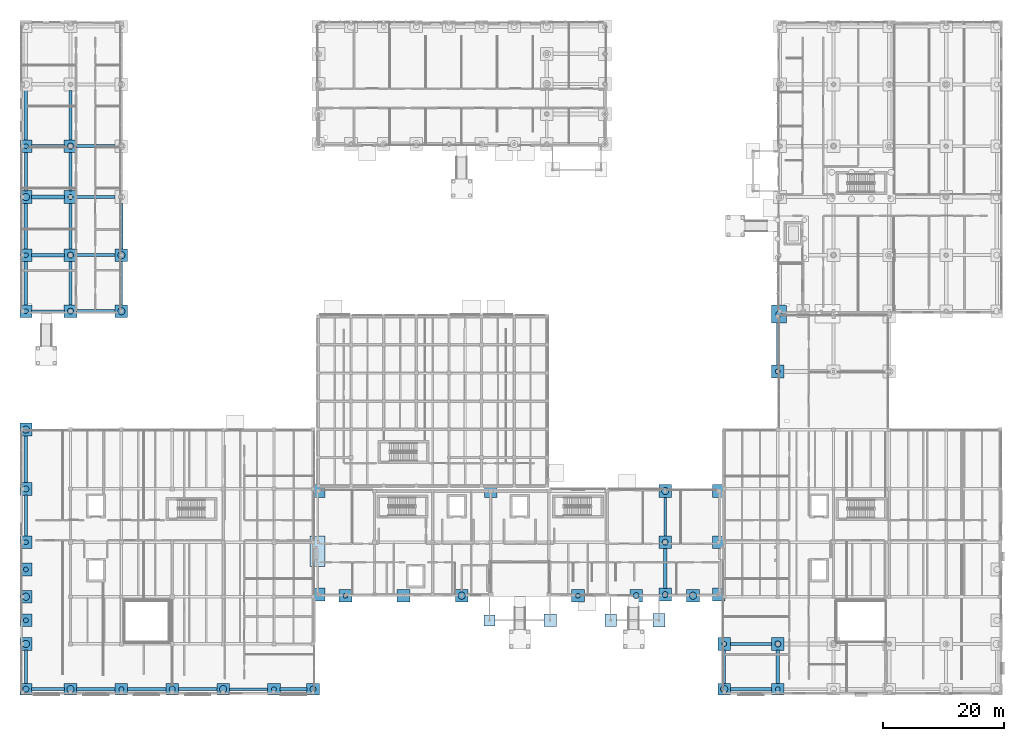
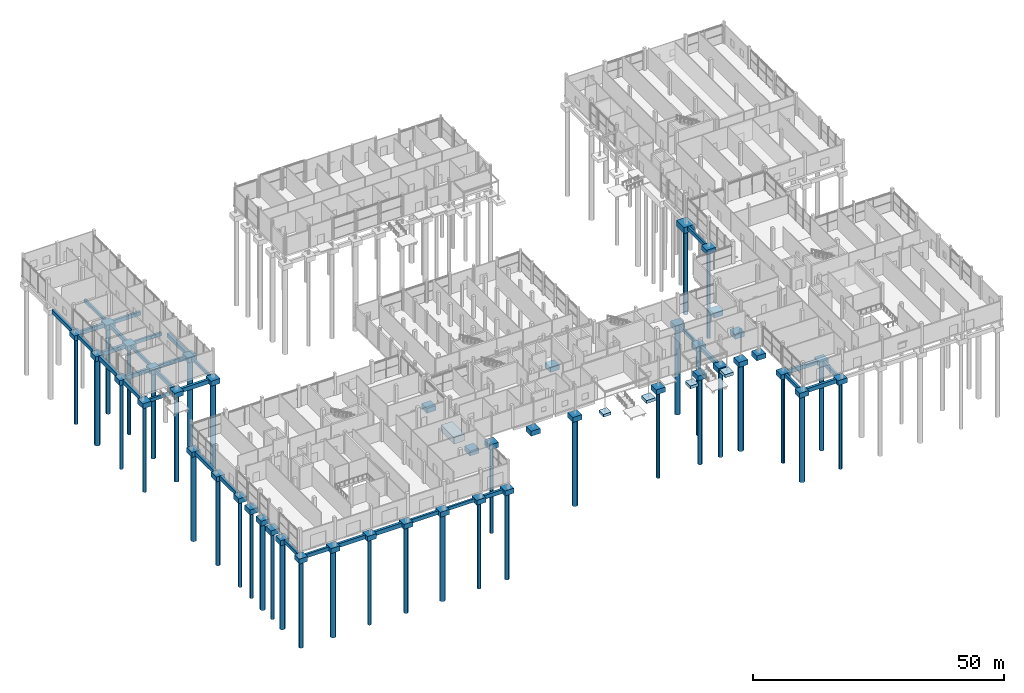
# One storey, part 1 of 88: 84 footings, 38 piles.
"""IFC4 building model written with IfcOpenShell, lengths in metres."""

import ifcopenshell
import ifcopenshell.guid

model = None  # the IFC model being written
_history = None  # IfcOwnerHistory: only IFC2X3 demands one
_inside = {}  # id of a spatial element -> (the spatial element, [elements in it])
_under = {}  # id of a project, library or spatial element -> (it, [spatial elements below it])
_declared = {}  # id of a project -> (the project, [libraries it declares])
_typed = {}  # id of a type object -> (the type object, [elements of that type])
_made_of = {}  # id of a material, layer set ... -> (it, [elements and type objects made of it])


def new_model(schema):
    """Start an empty IFC model of exactly this schema.

    Asked for "IFC4X3", IfcOpenShell would pick the latest addendum, in which some entities
    have other attributes; the version numbers below select the first issue.
    IFC2X3 requires an IfcOwnerHistory on every rooted entity: one is made here for all.
    """
    global model, _history
    if schema == "IFC4X3":
        model = ifcopenshell.file(schema_version=(4, 3, 0, 0))
    else:
        model = ifcopenshell.file(schema=schema)
    _inside.clear()
    _under.clear()
    _declared.clear()
    _typed.clear()
    _made_of.clear()
    _history = None
    if model.schema == "IFC2X3":
        org = make("IfcOrganization", Name="unknown")
        user = make(
            "IfcPersonAndOrganization",
            ThePerson=make("IfcPerson", FamilyName="unknown"),
            TheOrganization=org,
        )
        app = make(
            "IfcApplication",
            ApplicationDeveloper=org,
            Version="unknown",
            ApplicationFullName="unknown",
            ApplicationIdentifier="unknown",
        )
        _history = make(
            "IfcOwnerHistory",
            OwningUser=user,
            OwningApplication=app,
            ChangeAction="ADDED",
            CreationDate=0,
        )
    return model


def make(cls, **values):
    """One entity of the class cls with the attributes given. An attribute that is None is left unset."""
    return model.create_entity(
        cls, **{name: value for name, value in values.items() if value is not None}
    )


def rooted(cls, **values):
    """An entity with a GlobalId (a new one), such as an element, a storey or a relation."""
    return make(cls, GlobalId=ifcopenshell.guid.new(), OwnerHistory=_history, **values)


def si_unit(unit_type, name, prefix=None):
    """IfcSIUnit, for example si_unit("LENGTHUNIT", "METRE", prefix="MILLI")."""
    return make("IfcSIUnit", UnitType=unit_type, Prefix=prefix, Name=name)


def assignment(units):
    """IfcUnitAssignment: the units of a project."""
    return None if units is None else make("IfcUnitAssignment", Units=units)


def point(xyz):
    """IfcCartesianPoint."""
    return None if xyz is None else make("IfcCartesianPoint", Coordinates=xyz)


def direction(xyz):
    """IfcDirection."""
    return None if xyz is None else make("IfcDirection", DirectionRatios=xyz)


def frame(location, z_axis=None, x_axis=None):
    """IfcAxis2Placement3D, a coordinate frame: its origin and axes. An axis left out is left unset."""
    return make(
        "IfcAxis2Placement3D",
        Location=point(location),
        Axis=direction(z_axis),
        RefDirection=direction(x_axis),
    )


def frame_2d(location, x_axis=None):
    """IfcAxis2Placement2D, a coordinate frame in the plane: its origin and x axis."""
    return make(
        "IfcAxis2Placement2D", Location=point(location), RefDirection=direction(x_axis)
    )


def origin():
    """The frame at (0, 0, 0) with its axes left unset."""
    return frame((0.0, 0.0, 0.0))


def origin_2d():
    """The frame at (0, 0) in the plane with its x axis left unset."""
    return frame_2d((0.0, 0.0))


def place(relative_to, where):
    """IfcLocalPlacement: puts the frame where relative to a parent placement (None: the world)."""
    return make(
        "IfcLocalPlacement", PlacementRelTo=relative_to, RelativePlacement=where
    )


def context(
    kind, dimensions, precision=None, world=None, true_north=None, identifier=None
):
    """IfcGeometricRepresentationContext, for example the 3D "Model" context."""
    return make(
        "IfcGeometricRepresentationContext",
        ContextIdentifier=identifier,
        ContextType=kind,
        CoordinateSpaceDimension=dimensions,
        Precision=precision,
        WorldCoordinateSystem=world,
        TrueNorth=true_north,
    )


def subcontext(parent, identifier, kind, view, scale=None):
    """IfcGeometricRepresentationSubContext, for example "Body" below "Model"."""
    return make(
        "IfcGeometricRepresentationSubContext",
        ContextIdentifier=identifier,
        ContextType=kind,
        ParentContext=parent,
        TargetScale=scale,
        TargetView=view,
    )


def project(units=None, contexts=None):
    """IfcProject with its units and contexts."""
    return rooted(
        "IfcProject",
        Name="project",
        RepresentationContexts=contexts,
        UnitsInContext=assignment(units),
    )


def spatial(cls, under=None, at=None, **own):
    """A site, building, storey or space (cls), placed at a placement, below another one or the project."""
    s = rooted(cls, ObjectPlacement=at, **own)
    if under is not None:
        _under.setdefault(under.id(), (under, []))[1].append(s)
    return s


def profile(cls, at=None, kind="AREA", **sizes):
    """A parametric profile (cls). Its sizes go by their IFC names, for example OverallWidth=200.0."""
    return make(cls, ProfileType=kind, Position=at, **sizes)


def rectangle(**sizes):
    """IfcRectangleProfileDef."""
    return profile("IfcRectangleProfileDef", **sizes)


def circle(**sizes):
    """IfcCircleProfileDef."""
    return profile("IfcCircleProfileDef", **sizes)


def extrude(swept, where, along, depth):
    """IfcExtrudedAreaSolid: the profile swept, set in the frame where, extruded along a direction by depth."""
    return make(
        "IfcExtrudedAreaSolid",
        SweptArea=swept,
        Position=where,
        ExtrudedDirection=direction(along),
        Depth=depth,
    )


def shape(context_of_items, identifier, shape_type, items):
    """IfcShapeRepresentation: the items that make up one representation, for example the "Body"."""
    return make(
        "IfcShapeRepresentation",
        ContextOfItems=context_of_items,
        RepresentationIdentifier=identifier,
        RepresentationType=shape_type,
        Items=items,
    )


def material(Name=None, Category=None):
    """IfcMaterial."""
    return make("IfcMaterial", Name=Name, Category=Category)


def material_profile(
    of_material, cross_section, Name=None, Category=None, Priority=None
):
    """IfcMaterialProfile: a cross section and its material."""
    return make(
        "IfcMaterialProfile",
        Name=Name,
        Material=of_material,
        Profile=cross_section,
        Priority=Priority,
        Category=Category,
    )


def profile_set(profiles, Name=None, composite=None):
    """IfcMaterialProfileSet."""
    return make(
        "IfcMaterialProfileSet",
        Name=Name,
        MaterialProfiles=profiles,
        CompositeProfile=composite,
    )


def made_of(thing, what):
    """Note that an element or type object is made of a material, layer set ...; save() writes the relation."""
    if what is not None:
        _made_of.setdefault(what.id(), (what, []))[1].append(thing)
    return thing


def type_object(cls, material=None, **own):
    """A type object (cls), such as IfcWallType, which elements share."""
    return made_of(rooted(cls, **own), material)


def element(
    cls,
    number,
    at=None,
    inside=None,
    cuts=None,
    type_object=None,
    material=None,
    context=None,
    identifier="Body",
    shape_type=None,
    held_by="IfcProductDefinitionShape",
    body=None,
    shapes=None,
    **own,
):
    """One element of the class cls, such as IfcWall. Its Tag is "e" and its number.

    at: its placement. inside: the storey or other place that contains it. cuts: it is an
    opening in that element (IfcRelVoidsElement). A single representation is given by context,
    identifier, shape_type and body (its items); several are given by shapes. held_by: the class
    of the entity that holds the representations. save() writes the other relations.
    """
    e = rooted(cls, Tag="e%d" % number, ObjectPlacement=at, **own)
    if body is not None:
        shapes = [shape(context, identifier, shape_type, body)]
    if shapes is not None:
        e.Representation = make(held_by, Representations=shapes)
    if inside is not None:
        _inside.setdefault(inside.id(), (inside, []))[1].append(e)
    if cuts is not None:
        rooted(
            "IfcRelVoidsElement", RelatingBuildingElement=cuts, RelatedOpeningElement=e
        )
    if type_object is not None:
        _typed.setdefault(type_object.id(), (type_object, []))[1].append(e)
    return made_of(e, material)


def aggregate(whole, parts):
    """IfcRelAggregates: a whole, such as a stair, and the parts it consists of."""
    return rooted("IfcRelAggregates", RelatingObject=whole, RelatedObjects=parts)


def save(model, path):
    """Write the relations noted so far, then the file.

    IfcRelAggregates (storeys below a building ...), IfcRelContainedInSpatialStructure (elements
    in a storey), IfcRelDefinesByType, IfcRelAssociatesMaterial and IfcRelDeclares: one each for
    every whole, place, type object, material and project.
    """
    for whole, parts in _under.values():
        aggregate(whole, parts)
    for where, things in _inside.values():
        rooted(
            "IfcRelContainedInSpatialStructure",
            RelatedElements=things,
            RelatingStructure=where,
        )
    for kind, things in _typed.values():
        rooted("IfcRelDefinesByType", RelatedObjects=things, RelatingType=kind)
    for what, things in _made_of.values():
        rooted("IfcRelAssociatesMaterial", RelatedObjects=things, RelatingMaterial=what)
    for by, libraries in _declared.values():
        rooted("IfcRelDeclares", RelatingContext=by, RelatedDefinitions=libraries)
    model.write(path)


model = new_model("IFC4")

# Units and contexts
model_context = context("Model", 3, precision=1e-05, world=origin(), true_north=direction((0.0, 1.0)))
body_context = subcontext(model_context, "Body", "Model", "MODEL_VIEW")
ifc_project = project(units=[si_unit("LENGTHUNIT", "METRE"), si_unit("AREAUNIT", "SQUARE_METRE"), si_unit("VOLUMEUNIT", "CUBIC_METRE"), si_unit("PLANEANGLEUNIT", "RADIAN"), si_unit("MASSUNIT", "GRAM", prefix="KILO")], contexts=[model_context])

# Site, building, storey
site_placement = place(None, origin())
site = spatial("IfcSite", under=ifc_project, at=site_placement, CompositionType="ELEMENT")
building_placement = place(site_placement, origin())
building = spatial("IfcBuilding", under=site, at=building_placement, Name="Birchvale Park Specialist Clinic", CompositionType="ELEMENT")
storey_placement = place(building_placement, origin())
storey = spatial("IfcBuildingStorey", under=building, at=storey_placement, Name="L00", CompositionType="ELEMENT", Elevation=0.0)

# Footings
ifc_material = material(Name="Concrete C40/50", Category="concrete")
footing_type_1 = type_object("IfcFootingType", Name="FTB-1", PredefinedType="FOOTING_BEAM", material=ifc_material)
footing_1_placement = place(storey_placement, frame((7.47998046875, 1.534912109375, -2.64990234375), z_axis=(0.0, 0.0, 1.0), x_axis=(1.0, 0.0, 0.0)))
element("IfcFooting", 1, at=footing_1_placement, inside=storey, type_object=footing_type_1, Name="L00 foundation tie beam 129", PredefinedType="FOOTING_BEAM", context=body_context, shape_type="SweptSolid", body=[
    extrude(rectangle(XDim=5.3798828125, YDim=0.5, at=origin_2d()), origin(), (0.0, 0.0, 1.0), 0.89990234375),
])
footing_2_placement = place(storey_placement, frame((32.199951171875, 1.534912109375, -2.64990234375), z_axis=(0.0, 0.0, 1.0), x_axis=(1.0, 0.0, 0.0)))
element("IfcFooting", 2, at=footing_2_placement, inside=storey, type_object=footing_type_1, Name="L00 foundation tie beam 133", PredefinedType="FOOTING_BEAM", context=body_context, shape_type="SweptSolid", body=[
    extrude(rectangle(XDim=6.340087890625, YDim=0.5, at=origin_2d()), origin(), (0.0, 0.0, 1.0), 0.89990234375),
])
footing_3_placement = place(storey_placement, frame((119.14990234375, 5.22998046875, -2.64990234375), z_axis=(0.0, 0.0, 1.0), x_axis=(1.0, 0.0, 0.0)))
element("IfcFooting", 3, at=footing_3_placement, inside=storey, type_object=footing_type_1, Name="L00 foundation tie beam 137", PredefinedType="FOOTING_BEAM", context=body_context, shape_type="SweptSolid", body=[
    extrude(rectangle(XDim=0.5, YDim=5.47998046875, at=origin_2d()), origin(), (0.0, 0.0, 1.0), 0.89990234375),
])
footing_4_placement = place(storey_placement, frame((3.8349609375, 30.199951171875, -2.64990234375), z_axis=(0.0, 0.0, 1.0), x_axis=(1.0, 0.0, 0.0)))
element("IfcFooting", 4, at=footing_4_placement, inside=storey, type_object=footing_type_1, Name="L00 foundation tie beam 153", PredefinedType="FOOTING_BEAM", context=body_context, shape_type="SweptSolid", body=[
    extrude(rectangle(XDim=0.5, YDim=6.739990234375, at=origin_2d()), origin(), (0.0, 0.0, 1.0), 0.89990234375),
])
footing_5_placement = place(storey_placement, frame((128.0, 58.52490234375, -2.64990234375), z_axis=(0.0, 0.0, 1.0), x_axis=(1.0, 0.0, 0.0)))
element("IfcFooting", 5, at=footing_5_placement, inside=storey, type_object=footing_type_1, Name="L00 foundation tie beam 157", PredefinedType="FOOTING_BEAM", context=body_context, shape_type="SweptSolid", body=[
    extrude(rectangle(XDim=0.5, YDim=6.989990234375, at=origin_2d()), origin(), (0.0, 0.0, 1.0), 0.89990234375),
])
footing_6_placement = place(storey_placement, frame((11.199951171875, 68.574951171875, -2.64990234375), z_axis=(0.0, 0.0, 1.0), x_axis=(1.0, 0.0, 0.0)))
element("IfcFooting", 6, at=footing_6_placement, inside=storey, type_object=footing_type_1, Name="L00 foundation tie beam 169", PredefinedType="FOOTING_BEAM", context=body_context, shape_type="SweptSolid", body=[
    extrude(rectangle(XDim=0.5, YDim=7.18994140625, at=origin_2d()), origin(), (0.0, 0.0, 1.0), 0.89990234375),
])
footing_7_placement = place(storey_placement, frame((15.39990234375, 73.199951171875, -2.64990234375), z_axis=(0.0, 0.0, 1.0), x_axis=(1.0, 0.0, 0.0)))
element("IfcFooting", 7, at=footing_7_placement, inside=storey, type_object=footing_type_1, Name="L00 foundation tie beam 177", PredefinedType="FOOTING_BEAM", context=body_context, shape_type="SweptSolid", body=[
    extrude(rectangle(XDim=6.340087890625, YDim=0.5, at=origin_2d()), origin(), (0.0, 0.0, 1.0), 0.89990234375),
])
footing_8_placement = place(storey_placement, frame((3.8349609375, 87.0, -2.64990234375), z_axis=(0.0, 0.0, 1.0), x_axis=(1.0, 0.0, 0.0)))
element("IfcFooting", 8, at=footing_8_placement, inside=storey, type_object=footing_type_1, Name="L00 foundation tie beam 189", PredefinedType="FOOTING_BEAM", context=body_context, shape_type="SweptSolid", body=[
    extrude(rectangle(XDim=0.5, YDim=6.340087890625, at=origin_2d()), origin(), (0.0, 0.0, 1.0), 0.89990234375),
])
footing_9_placement = place(storey_placement, frame((15.39990234375, 91.199951171875, -2.64990234375), z_axis=(0.0, 0.0, 1.0), x_axis=(1.0, 0.0, 0.0)))
element("IfcFooting", 9, at=footing_9_placement, inside=storey, type_object=footing_type_1, Name="L00 foundation tie beam 201", PredefinedType="FOOTING_BEAM", context=body_context, shape_type="SweptSolid", body=[
    extrude(rectangle(XDim=6.340087890625, YDim=0.5, at=origin_2d()), origin(), (0.0, 0.0, 1.0), 0.89990234375),
])
footing_type_2 = type_object("IfcFootingType", Name="FTB-2", PredefinedType="FOOTING_BEAM", material=ifc_material)
footing_10_placement = place(storey_placement, frame((3.8349609375, 5.22998046875, -2.5498046875), z_axis=(0.0, 0.0, 1.0), x_axis=(1.0, 0.0, 0.0)))
element("IfcFooting", 10, at=footing_10_placement, inside=storey, type_object=footing_type_2, Name="L00 foundation tie beam 130", PredefinedType="FOOTING_BEAM", context=body_context, shape_type="SweptSolid", body=[
    extrude(rectangle(XDim=0.449951171875, YDim=5.47998046875, at=origin_2d()), origin(), (0.0, 0.0, 1.0), 0.800048828125),
])
footing_11_placement = place(storey_placement, frame((40.60009765625, 1.534912109375, -2.5498046875), z_axis=(0.0, 0.0, 1.0), x_axis=(1.0, 0.0, 0.0)))
element("IfcFooting", 11, at=footing_11_placement, inside=storey, type_object=footing_type_2, Name="L00 foundation tie beam 134", PredefinedType="FOOTING_BEAM", context=body_context, shape_type="SweptSolid", body=[
    extrude(rectangle(XDim=6.340087890625, YDim=0.449951171875, at=origin_2d()), origin(), (0.0, 0.0, 1.0), 0.800048828125),
])
footing_12_placement = place(storey_placement, frame((109.39990234375, 30.02490234375, -2.5498046875), z_axis=(0.0, 0.0, 1.0), x_axis=(1.0, 0.0, 0.0)))
element("IfcFooting", 12, at=footing_12_placement, inside=storey, type_object=footing_type_2, Name="L00 foundation tie beam 154", PredefinedType="FOOTING_BEAM", context=body_context, shape_type="SweptSolid", body=[
    extrude(rectangle(XDim=0.449951171875, YDim=6.389892578125, at=origin_2d()), origin(), (0.0, 0.0, 1.0), 0.800048828125),
])
footing_13_placement = place(storey_placement, frame((7.47998046875, 63.949951171875, -2.5498046875), z_axis=(0.0, 0.0, 1.0), x_axis=(1.0, 0.0, 0.0)))
element("IfcFooting", 13, at=footing_13_placement, inside=storey, type_object=footing_type_2, Name="L00 foundation tie beam 166", PredefinedType="FOOTING_BEAM", context=body_context, shape_type="SweptSolid", body=[
    extrude(rectangle(XDim=5.3798828125, YDim=0.449951171875, at=origin_2d()), origin(), (0.0, 0.0, 1.0), 0.800048828125),
])
footing_14_placement = place(storey_placement, frame((19.60009765625, 68.574951171875, -2.5498046875), z_axis=(0.0, 0.0, 1.0), x_axis=(1.0, 0.0, 0.0)))
element("IfcFooting", 14, at=footing_14_placement, inside=storey, type_object=footing_type_2, Name="L00 foundation tie beam 170", PredefinedType="FOOTING_BEAM", context=body_context, shape_type="SweptSolid", body=[
    extrude(rectangle(XDim=0.449951171875, YDim=7.18994140625, at=origin_2d()), origin(), (0.0, 0.0, 1.0), 0.800048828125),
])
footing_15_placement = place(storey_placement, frame((11.199951171875, 78.0, -2.5498046875), z_axis=(0.0, 0.0, 1.0), x_axis=(1.0, 0.0, 0.0)))
element("IfcFooting", 15, at=footing_15_placement, inside=storey, type_object=footing_type_2, Name="L00 foundation tie beam 178", PredefinedType="FOOTING_BEAM", context=body_context, shape_type="SweptSolid", body=[
    extrude(rectangle(XDim=0.449951171875, YDim=7.5400390625, at=origin_2d()), origin(), (0.0, 0.0, 1.0), 0.800048828125),
])
footing_16_placement = place(storey_placement, frame((15.39990234375, 82.800048828125, -2.5498046875), z_axis=(0.0, 0.0, 1.0), x_axis=(1.0, 0.0, 0.0)))
element("IfcFooting", 16, at=footing_16_placement, inside=storey, type_object=footing_type_2, Name="L00 foundation tie beam 190", PredefinedType="FOOTING_BEAM", context=body_context, shape_type="SweptSolid", body=[
    extrude(rectangle(XDim=6.340087890625, YDim=0.449951171875, at=origin_2d()), origin(), (0.0, 0.0, 1.0), 0.800048828125),
])
footing_17_placement = place(storey_placement, frame((11.199951171875, 96.300048828125, -2.5498046875), z_axis=(0.0, 0.0, 1.0), x_axis=(1.0, 0.0, 0.0)))
element("IfcFooting", 17, at=footing_17_placement, inside=storey, type_object=footing_type_2, Name="L00 foundation tie beam 202", PredefinedType="FOOTING_BEAM", context=body_context, shape_type="SweptSolid", body=[
    extrude(rectangle(XDim=0.449951171875, YDim=8.139892578125, at=origin_2d()), origin(), (0.0, 0.0, 1.0), 0.800048828125),
])
footing_type_3 = type_object("IfcFootingType", Name="FTB-3", PredefinedType="FOOTING_BEAM", material=ifc_material)
footing_18_placement = place(storey_placement, frame((15.39990234375, 1.534912109375, -2.7001953125), z_axis=(0.0, 0.0, 1.0), x_axis=(1.0, 0.0, 0.0)))
element("IfcFooting", 18, at=footing_18_placement, inside=storey, type_object=footing_type_3, Name="L00 foundation tie beam 131", PredefinedType="FOOTING_BEAM", context=body_context, shape_type="SweptSolid", body=[
    extrude(rectangle(XDim=6.340087890625, YDim=0.550048828125, at=origin_2d()), origin(), (0.0, 0.0, 1.0), 0.949951171875),
])
footing_19_placement = place(storey_placement, frame((48.02490234375, 1.534912109375, -2.7001953125), z_axis=(0.0, 0.0, 1.0), x_axis=(1.0, 0.0, 0.0)))
element("IfcFooting", 19, at=footing_19_placement, inside=storey, type_object=footing_type_3, Name="L00 foundation tie beam 135", PredefinedType="FOOTING_BEAM", context=body_context, shape_type="SweptSolid", body=[
    extrude(rectangle(XDim=4.389892578125, YDim=0.550048828125, at=origin_2d()), origin(), (0.0, 0.0, 1.0), 0.949951171875),
])
footing_20_placement = place(storey_placement, frame((128.0, 5.22998046875, -2.7001953125), z_axis=(0.0, 0.0, 1.0), x_axis=(1.0, 0.0, 0.0)))
element("IfcFooting", 20, at=footing_20_placement, inside=storey, type_object=footing_type_3, Name="L00 foundation tie beam 139", PredefinedType="FOOTING_BEAM", context=body_context, shape_type="SweptSolid", body=[
    extrude(rectangle(XDim=0.550048828125, YDim=5.47998046875, at=origin_2d()), origin(), (0.0, 0.0, 1.0), 0.949951171875),
])
footing_21_placement = place(storey_placement, frame((123.574951171875, 9.0, -2.7001953125), z_axis=(0.0, 0.0, 1.0), x_axis=(1.0, 0.0, 0.0)))
element("IfcFooting", 21, at=footing_21_placement, inside=storey, type_object=footing_type_3, Name="L00 foundation tie beam 147", PredefinedType="FOOTING_BEAM", context=body_context, shape_type="SweptSolid", body=[
    extrude(rectangle(XDim=6.7900390625, YDim=0.550048828125, at=origin_2d()), origin(), (0.0, 0.0, 1.0), 0.949951171875),
])
footing_22_placement = place(storey_placement, frame((3.8349609375, 39.5, -2.7001953125), z_axis=(0.0, 0.0, 1.0), x_axis=(1.0, 0.0, 0.0)))
element("IfcFooting", 22, at=footing_22_placement, inside=storey, type_object=footing_type_3, Name="L00 foundation tie beam 155", PredefinedType="FOOTING_BEAM", context=body_context, shape_type="SweptSolid", body=[
    extrude(rectangle(XDim=0.550048828125, YDim=7.739990234375, at=origin_2d()), origin(), (0.0, 0.0, 1.0), 0.949951171875),
])
footing_23_placement = place(storey_placement, frame((3.8349609375, 68.574951171875, -2.7001953125), z_axis=(0.0, 0.0, 1.0), x_axis=(1.0, 0.0, 0.0)))
element("IfcFooting", 23, at=footing_23_placement, inside=storey, type_object=footing_type_3, Name="L00 foundation tie beam 167", PredefinedType="FOOTING_BEAM", context=body_context, shape_type="SweptSolid", body=[
    extrude(rectangle(XDim=0.550048828125, YDim=7.18994140625, at=origin_2d()), origin(), (0.0, 0.0, 1.0), 0.949951171875),
])
footing_24_placement = place(storey_placement, frame((7.47998046875, 73.199951171875, -2.7001953125), z_axis=(0.0, 0.0, 1.0), x_axis=(1.0, 0.0, 0.0)))
element("IfcFooting", 24, at=footing_24_placement, inside=storey, type_object=footing_type_3, Name="L00 foundation tie beam 175", PredefinedType="FOOTING_BEAM", context=body_context, shape_type="SweptSolid", body=[
    extrude(rectangle(XDim=5.3798828125, YDim=0.550048828125, at=origin_2d()), origin(), (0.0, 0.0, 1.0), 0.949951171875),
])
footing_25_placement = place(storey_placement, frame((19.60009765625, 78.0, -2.7001953125), z_axis=(0.0, 0.0, 1.0), x_axis=(1.0, 0.0, 0.0)))
element("IfcFooting", 25, at=footing_25_placement, inside=storey, type_object=footing_type_3, Name="L00 foundation tie beam 179", PredefinedType="FOOTING_BEAM", context=body_context, shape_type="SweptSolid", body=[
    extrude(rectangle(XDim=0.550048828125, YDim=7.5400390625, at=origin_2d()), origin(), (0.0, 0.0, 1.0), 0.949951171875),
])
footing_26_placement = place(storey_placement, frame((11.199951171875, 87.0, -2.7001953125), z_axis=(0.0, 0.0, 1.0), x_axis=(1.0, 0.0, 0.0)))
element("IfcFooting", 26, at=footing_26_placement, inside=storey, type_object=footing_type_3, Name="L00 foundation tie beam 191", PredefinedType="FOOTING_BEAM", context=body_context, shape_type="SweptSolid", body=[
    extrude(rectangle(XDim=0.550048828125, YDim=6.340087890625, at=origin_2d()), origin(), (0.0, 0.0, 1.0), 0.949951171875),
])
footing_27_placement = place(storey_placement, frame((7.47998046875, 91.199951171875, -2.7001953125), z_axis=(0.0, 0.0, 1.0), x_axis=(1.0, 0.0, 0.0)))
element("IfcFooting", 27, at=footing_27_placement, inside=storey, type_object=footing_type_3, Name="L00 foundation tie beam 199", PredefinedType="FOOTING_BEAM", context=body_context, shape_type="SweptSolid", body=[
    extrude(rectangle(XDim=5.3798828125, YDim=0.550048828125, at=origin_2d()), origin(), (0.0, 0.0, 1.0), 0.949951171875),
])
footing_type_4 = type_object("IfcFootingType", Name="FTB-4", PredefinedType="FOOTING_BEAM", material=ifc_material)
footing_28_placement = place(storey_placement, frame((23.800048828125, 1.534912109375, -2.75), z_axis=(0.0, 0.0, 1.0), x_axis=(1.0, 0.0, 0.0)))
element("IfcFooting", 28, at=footing_28_placement, inside=storey, type_object=footing_type_4, Name="L00 foundation tie beam 132", PredefinedType="FOOTING_BEAM", context=body_context, shape_type="SweptSolid", body=[
    extrude(rectangle(XDim=6.340087890625, YDim=0.60009765625, at=origin_2d()), origin(), (0.0, 0.0, 1.0), 1.0),
])
footing_29_placement = place(storey_placement, frame((123.574951171875, 1.534912109375, -2.75), z_axis=(0.0, 0.0, 1.0), x_axis=(1.0, 0.0, 0.0)))
element("IfcFooting", 29, at=footing_29_placement, inside=storey, type_object=footing_type_4, Name="L00 foundation tie beam 136", PredefinedType="FOOTING_BEAM", context=body_context, shape_type="SweptSolid", body=[
    extrude(rectangle(XDim=6.7900390625, YDim=0.60009765625, at=origin_2d()), origin(), (0.0, 0.0, 1.0), 1.0),
])
footing_30_placement = place(storey_placement, frame((109.39990234375, 21.47509765625, -2.75), z_axis=(0.0, 0.0, 1.0), x_axis=(1.0, 0.0, 0.0)))
element("IfcFooting", 30, at=footing_30_placement, inside=storey, type_object=footing_type_4, Name="L00 foundation tie beam 152", PredefinedType="FOOTING_BEAM", context=body_context, shape_type="SweptSolid", body=[
    extrude(rectangle(XDim=0.60009765625, YDim=6.590087890625, at=origin_2d()), origin(), (0.0, 0.0, 1.0), 1.0),
])
footing_31_placement = place(storey_placement, frame((15.39990234375, 63.949951171875, -2.75), z_axis=(0.0, 0.0, 1.0), x_axis=(1.0, 0.0, 0.0)))
element("IfcFooting", 31, at=footing_31_placement, inside=storey, type_object=footing_type_4, Name="L00 foundation tie beam 168", PredefinedType="FOOTING_BEAM", context=body_context, shape_type="SweptSolid", body=[
    extrude(rectangle(XDim=6.340087890625, YDim=0.60009765625, at=origin_2d()), origin(), (0.0, 0.0, 1.0), 1.0),
])
footing_32_placement = place(storey_placement, frame((3.8349609375, 78.0, -2.75), z_axis=(0.0, 0.0, 1.0), x_axis=(1.0, 0.0, 0.0)))
element("IfcFooting", 32, at=footing_32_placement, inside=storey, type_object=footing_type_4, Name="L00 foundation tie beam 176", PredefinedType="FOOTING_BEAM", context=body_context, shape_type="SweptSolid", body=[
    extrude(rectangle(XDim=0.60009765625, YDim=7.5400390625, at=origin_2d()), origin(), (0.0, 0.0, 1.0), 1.0),
])
footing_33_placement = place(storey_placement, frame((7.47998046875, 82.800048828125, -2.75), z_axis=(0.0, 0.0, 1.0), x_axis=(1.0, 0.0, 0.0)))
element("IfcFooting", 33, at=footing_33_placement, inside=storey, type_object=footing_type_4, Name="L00 foundation tie beam 188", PredefinedType="FOOTING_BEAM", context=body_context, shape_type="SweptSolid", body=[
    extrude(rectangle(XDim=5.3798828125, YDim=0.60009765625, at=origin_2d()), origin(), (0.0, 0.0, 1.0), 1.0),
])
footing_34_placement = place(storey_placement, frame((3.8349609375, 96.300048828125, -2.75), z_axis=(0.0, 0.0, 1.0), x_axis=(1.0, 0.0, 0.0)))
element("IfcFooting", 34, at=footing_34_placement, inside=storey, type_object=footing_type_4, Name="L00 foundation tie beam 200", PredefinedType="FOOTING_BEAM", context=body_context, shape_type="SweptSolid", body=[
    extrude(rectangle(XDim=0.60009765625, YDim=8.139892578125, at=origin_2d()), origin(), (0.0, 0.0, 1.0), 1.0),
])
footing_type_5 = type_object("IfcFootingType", Name="FTG-PC-17", PredefinedType="PILE_CAP", material=ifc_material)
footing_35_placement = place(storey_placement, frame((3.8349609375, 1.534912109375, -2.9501953125), z_axis=(0.0, 0.0, 1.0), x_axis=(1.0, 0.0, 0.0)))
element("IfcFooting", 35, at=footing_35_placement, inside=storey, type_object=footing_type_5, Name="L00 pile cap 114", PredefinedType="PILE_CAP", context=body_context, shape_type="SweptSolid", body=[
    extrude(rectangle(XDim=1.949951171875, YDim=1.949951171875, at=origin_2d()), origin(), (0.0, 0.0, 1.0), 1.199951171875),
])
footing_type_6 = type_object("IfcFootingType", Name="FTG-PC-18", PredefinedType="PILE_CAP", material=ifc_material)
for number, where, z_axis, x_axis, name in (
    (36, (11.199951171875, 1.534912109375, -2.9501953125), (0.0, 0.0, 1.0), (1.0, 0.0, 0.0), "L00 pile cap 115"),
    (37, (19.60009765625, 1.534912109375, -2.9501953125), (0.0, 0.0, 1.0), (1.0, 0.0, 0.0), "L00 pile cap 116"),
    (38, (28.0, 1.534912109375, -2.9501953125), (0.0, 0.0, 1.0), (1.0, 0.0, 0.0), "L00 pile cap 117"),
    (39, (36.39990234375, 1.534912109375, -2.9501953125), (0.0, 0.0, 1.0), (1.0, 0.0, 0.0), "L00 pile cap 118"),
    (40, (44.800048828125, 1.534912109375, -2.9501953125), (0.0, 0.0, 1.0), (1.0, 0.0, 0.0), "L00 pile cap 119"),
    (41, (51.25, 1.534912109375, -2.9501953125), (0.0, 0.0, 1.0), (1.0, 0.0, 0.0), "L00 pile cap 120"),
    (42, (119.14990234375, 1.534912109375, -2.9501953125), (0.0, 0.0, 1.0), (1.0, 0.0, 0.0), "L00 pile cap 121"),
    (43, (128.0, 1.534912109375, -2.9501953125), (0.0, 0.0, 1.0), (1.0, 0.0, 0.0), "L00 pile cap 122"),
):
    element("IfcFooting", number, at=place(storey_placement, frame(where, z_axis=z_axis, x_axis=x_axis)), inside=storey, type_object=footing_type_6, Name=name, PredefinedType="PILE_CAP", context=body_context, shape_type="SweptSolid", body=[
        extrude(rectangle(XDim=2.10009765625, YDim=1.949951171875, at=origin_2d()), origin(), (0.0, 0.0, 1.0), 1.199951171875),
    ])
footing_type_7 = type_object("IfcFootingType", Name="FTG-PC-19", PredefinedType="PILE_CAP", material=ifc_material)
for number, where, z_axis, x_axis, name in (
    (44, (3.8349609375, 9.0, -2.9501953125), (0.0, 0.0, 1.0), (1.0, 0.0, 0.0), "L00 pile cap 127"),
    (45, (3.8349609375, 12.89990234375, -2.9501953125), (0.0, 0.0, 1.0), (1.0, 0.0, 0.0), "L00 pile cap 134"),
    (46, (3.8349609375, 16.800048828125, -2.9501953125), (0.0, 0.0, 1.0), (1.0, 0.0, 0.0), "L00 pile cap 136"),
    (47, (3.8349609375, 21.300048828125, -2.9501953125), (0.0, 0.0, 1.0), (1.0, 0.0, 0.0), "L00 pile cap 146"),
    (48, (3.8349609375, 25.800048828125, -2.9501953125), (0.0, 0.0, 1.0), (1.0, 0.0, 0.0), "L00 pile cap 149"),
    (49, (3.8349609375, 34.60009765625, -2.9501953125), (0.0, 0.0, 1.0), (1.0, 0.0, 0.0), "L00 pile cap 156"),
    (50, (3.8349609375, 44.39990234375, -2.9501953125), (0.0, 0.0, 1.0), (1.0, 0.0, 0.0), "L00 pile cap 157"),
    (51, (3.8349609375, 63.949951171875, -2.9501953125), (0.0, 0.0, 1.0), (1.0, 0.0, 0.0), "L00 pile cap 164"),
    (52, (3.8349609375, 73.199951171875, -2.9501953125), (0.0, 0.0, 1.0), (1.0, 0.0, 0.0), "L00 pile cap 170"),
    (53, (3.8349609375, 82.800048828125, -2.9501953125), (0.0, 0.0, 1.0), (1.0, 0.0, 0.0), "L00 pile cap 178"),
    (54, (3.8349609375, 91.199951171875, -2.9501953125), (0.0, 0.0, 1.0), (1.0, 0.0, 0.0), "L00 pile cap 185"),
):
    element("IfcFooting", number, at=place(storey_placement, frame(where, z_axis=z_axis, x_axis=x_axis)), inside=storey, type_object=footing_type_7, Name=name, PredefinedType="PILE_CAP", context=body_context, shape_type="SweptSolid", body=[
        extrude(rectangle(XDim=1.949951171875, YDim=2.10009765625, at=origin_2d()), origin(), (0.0, 0.0, 1.0), 1.199951171875),
    ])
footing_type_8 = type_object("IfcFootingType", Name="FTG-PC-20", PredefinedType="PILE_CAP", material=ifc_material)
for number, where, z_axis, x_axis, name in (
    (55, (119.14990234375, 9.0, -2.9501953125), (0.0, 0.0, 1.0), (1.0, 0.0, 0.0), "L00 pile cap 128"),
    (56, (128.0, 9.0, -2.9501953125), (0.0, 0.0, 1.0), (1.0, 0.0, 0.0), "L00 pile cap 129"),
    (57, (56.60009765625, 16.969970703125, -2.9501953125), (0.0, 0.0, 1.0), (1.0, 0.0, 0.0), "L00 pile cap 137"),
    (58, (66.199951171875, 16.969970703125, -2.9501953125), (0.0, 0.0, 1.0), (1.0, 0.0, 0.0), "L00 pile cap 138"),
    (59, (75.800048828125, 16.969970703125, -2.9501953125), (0.0, 0.0, 1.0), (1.0, 0.0, 0.0), "L00 pile cap 139"),
    (60, (95.0, 16.969970703125, -2.9501953125), (0.0, 0.0, 1.0), (1.0, 0.0, 0.0), "L00 pile cap 140"),
    (61, (104.60009765625, 16.969970703125, -2.9501953125), (0.0, 0.0, 1.0), (1.0, 0.0, 0.0), "L00 pile cap 141"),
    (62, (114.0, 16.969970703125, -2.9501953125), (0.0, 0.0, 1.0), (1.0, 0.0, 0.0), "L00 pile cap 142"),
    (63, (52.14990234375, 17.14990234375, -2.9501953125), (0.0, 0.0, 1.0), (1.0, 0.0, 0.0), "L00 pile cap 143"),
    (64, (109.39990234375, 17.14990234375, -2.9501953125), (0.0, 0.0, 1.0), (1.0, 0.0, 0.0), "L00 pile cap 144"),
    (65, (118.25, 17.14990234375, -2.9501953125), (0.0, 0.0, 1.0), (1.0, 0.0, 0.0), "L00 pile cap 145"),
    (66, (109.39990234375, 25.800048828125, -2.9501953125), (0.0, 0.0, 1.0), (1.0, 0.0, 0.0), "L00 pile cap 150"),
    (67, (118.25, 25.800048828125, -2.9501953125), (0.0, 0.0, 1.0), (1.0, 0.0, 0.0), "L00 pile cap 151"),
    (68, (52.14990234375, 34.25, -2.9501953125), (0.0, 0.0, 1.0), (1.0, 0.0, 0.0), "L00 pile cap 152"),
    (69, (80.60009765625, 34.25, -2.9501953125), (0.0, 0.0, 1.0), (1.0, 0.0, 0.0), "L00 pile cap 153"),
    (70, (109.39990234375, 34.25, -2.9501953125), (0.0, 0.0, 1.0), (1.0, 0.0, 0.0), "L00 pile cap 154"),
    (71, (118.25, 34.25, -2.9501953125), (0.0, 0.0, 1.0), (1.0, 0.0, 0.0), "L00 pile cap 155"),
    (72, (128.0, 54.0, -2.9501953125), (0.0, 0.0, 1.0), (1.0, 0.0, 0.0), "L00 pile cap 158"),
    (73, (11.199951171875, 63.949951171875, -2.9501953125), (0.0, 0.0, 1.0), (1.0, 0.0, 0.0), "L00 pile cap 165"),
    (74, (19.60009765625, 63.949951171875, -2.9501953125), (0.0, 0.0, 1.0), (1.0, 0.0, 0.0), "L00 pile cap 166"),
    (75, (11.199951171875, 73.199951171875, -2.9501953125), (0.0, 0.0, 1.0), (1.0, 0.0, 0.0), "L00 pile cap 171"),
    (76, (19.60009765625, 73.199951171875, -2.9501953125), (0.0, 0.0, 1.0), (1.0, 0.0, 0.0), "L00 pile cap 172"),
    (77, (11.199951171875, 82.800048828125, -2.9501953125), (0.0, 0.0, 1.0), (1.0, 0.0, 0.0), "L00 pile cap 179"),
    (78, (11.199951171875, 91.199951171875, -2.9501953125), (0.0, 0.0, 1.0), (1.0, 0.0, 0.0), "L00 pile cap 186"),
):
    element("IfcFooting", number, at=place(storey_placement, frame(where, z_axis=z_axis, x_axis=x_axis)), inside=storey, type_object=footing_type_8, Name=name, PredefinedType="PILE_CAP", context=body_context, shape_type="SweptSolid", body=[
        extrude(rectangle(XDim=2.10009765625, YDim=2.10009765625, at=origin_2d()), origin(), (0.0, 0.0, 1.0), 1.199951171875),
    ])
footing_type_9 = type_object("IfcFootingType", Name="FTG-PC-21", PredefinedType="PILE_CAP", material=ifc_material)
footing_36_placement = place(storey_placement, frame((51.9599609375, 24.300048828125, -3.35009765625), z_axis=(0.0, 0.0, 1.0), x_axis=(1.0, 0.0, 0.0)))
element("IfcFooting", 79, at=footing_36_placement, inside=storey, type_object=footing_type_9, Name="L00 pile cap 148", PredefinedType="PILE_CAP", context=body_context, shape_type="SweptSolid", body=[
    extrude(rectangle(XDim=2.47998046875, YDim=5.10009765625, at=origin_2d()), origin(), (0.0, 0.0, 1.0), 1.60009765625),
])
footing_type_10 = type_object("IfcFootingType", Name="FTG-PC-22", PredefinedType="PILE_CAP", material=ifc_material)
footing_37_placement = place(storey_placement, frame((128.175048828125, 63.5, -3.2001953125), z_axis=(0.0, 0.0, 1.0), x_axis=(1.0, 0.0, 0.0)))
element("IfcFooting", 80, at=footing_37_placement, inside=storey, type_object=footing_type_10, Name="L00 pile cap 161", PredefinedType="PILE_CAP", context=body_context, shape_type="SweptSolid", body=[
    extrude(rectangle(XDim=2.449951171875, YDim=3.0, at=origin_2d()), origin(), (0.0, 0.0, 1.0), 1.449951171875),
])
footing_type_11 = type_object("IfcFootingType", Name="PF-1", PredefinedType="PAD_FOOTING", material=ifc_material)
footing_38_placement = place(storey_placement, frame((80.39990234375, 12.89990234375, -0.949951171875), z_axis=(0.0, 0.0, 1.0), x_axis=(1.0, 0.0, 0.0)))
element("IfcFooting", 81, at=footing_38_placement, inside=storey, type_object=footing_type_11, Name="L00 canopy pad footing 1", PredefinedType="PAD_FOOTING", context=body_context, shape_type="SweptSolid", body=[
    extrude(rectangle(XDim=1.800048828125, YDim=1.800048828125, at=origin_2d()), origin(), (0.0, 0.0, 1.0), 0.64990234375),
])
footing_type_12 = type_object("IfcFootingType", Name="PF-2", PredefinedType="PAD_FOOTING", material=ifc_material)
footing_39_placement = place(storey_placement, frame((90.39990234375, 12.89990234375, -1.0), z_axis=(0.0, 0.0, 1.0), x_axis=(1.0, 0.0, 0.0)))
element("IfcFooting", 82, at=footing_39_placement, inside=storey, type_object=footing_type_12, Name="L00 canopy pad footing 2", PredefinedType="PAD_FOOTING", context=body_context, shape_type="SweptSolid", body=[
    extrude(rectangle(XDim=2.10009765625, YDim=2.10009765625, at=origin_2d()), origin(), (0.0, 0.0, 1.0), 0.699951171875),
])
footing_type_13 = type_object("IfcFootingType", Name="PF-5", PredefinedType="PAD_FOOTING", material=ifc_material)
footing_40_placement = place(storey_placement, frame((100.39990234375, 12.89990234375, -0.97998046875), z_axis=(0.0, 0.0, 1.0), x_axis=(1.0, 0.0, 0.0)))
element("IfcFooting", 83, at=footing_40_placement, inside=storey, type_object=footing_type_13, Name="L00 canopy pad footing 5", PredefinedType="PAD_FOOTING", context=body_context, shape_type="SweptSolid", body=[
    extrude(rectangle(XDim=1.85009765625, YDim=2.050048828125, at=origin_2d()), origin(), (0.0, 0.0, 1.0), 0.679931640625),
])
footing_type_14 = type_object("IfcFootingType", Name="PF-6", PredefinedType="PAD_FOOTING", material=ifc_material)
footing_41_placement = place(storey_placement, frame((108.39990234375, 12.89990234375, -1.02001953125), z_axis=(0.0, 0.0, 1.0), x_axis=(1.0, 0.0, 0.0)))
element("IfcFooting", 84, at=footing_41_placement, inside=storey, type_object=footing_type_14, Name="L00 canopy pad footing 6", PredefinedType="PAD_FOOTING", context=body_context, shape_type="SweptSolid", body=[
    extrude(rectangle(XDim=2.0, YDim=2.199951171875, at=origin_2d()), origin(), (0.0, 0.0, 1.0), 0.719970703125),
])

# Piles
ifc_material_profile_1 = material_profile(ifc_material, circle(Radius=0.39990234375, at=origin_2d()), Name="PILE-800")
ifc_profile_set_1 = profile_set([ifc_material_profile_1], Name="Concrete C40/50")
pile_type_1 = type_object("IfcPileType", Name="PILE-P1", PredefinedType="BORED", material=ifc_profile_set_1)
for number, where, z_axis, x_axis, name in (
    (85, (19.60009765625, 1.534912109375, -2.85009765625), (0.0, 0.0, -1.0), (1.0, 0.0, 0.0), "L00 bored pile 178 (P1)"),
    (86, (44.800048828125, 1.534912109375, -2.85009765625), (0.0, 0.0, -1.0), (1.0, 0.0, 0.0), "L00 bored pile 181 (P1)"),
    (87, (128.0, 1.534912109375, -2.85009765625), (0.0, 0.0, -1.0), (1.0, 0.0, 0.0), "L00 bored pile 184 (P1)"),
    (88, (119.14990234375, 9.0, -2.85009765625), (0.0, 0.0, -1.0), (1.0, 0.0, 0.0), "L00 bored pile 190 (P1)"),
    (89, (3.8349609375, 12.89990234375, -2.85009765625), (0.0, 0.0, -1.0), (1.0, 0.0, 0.0), "L00 bored pile 196 (P1)"),
    (90, (56.60009765625, 16.969970703125, -2.85009765625), (0.0, 0.0, -1.0), (1.0, 0.0, 0.0), "L00 bored pile 199 (P1)"),
    (91, (95.0, 16.969970703125, -2.85009765625), (0.0, 0.0, -1.0), (1.0, 0.0, 0.0), "L00 bored pile 201 (P1)"),
    (92, (3.8349609375, 21.300048828125, -2.85009765625), (0.0, 0.0, -1.0), (1.0, 0.0, 0.0), "L00 bored pile 205 (P1)"),
    (93, (3.8349609375, 25.800048828125, -2.85009765625), (0.0, 0.0, -1.0), (1.0, 0.0, 0.0), "L00 bored pile 207 (P1)"),
    (94, (128.0, 54.0, -2.85009765625), (0.0, 0.0, -1.0), (1.0, 0.0, 0.0), "L00 bored pile 212 (P1)"),
    (95, (3.8349609375, 63.949951171875, -2.85009765625), (0.0, 0.0, -1.0), (1.0, 0.0, 0.0), "L00 bored pile 219 (P1)"),
    (96, (3.8349609375, 73.199951171875, -2.85009765625), (0.0, 0.0, -1.0), (1.0, 0.0, 0.0), "L00 bored pile 225 (P1)"),
    (97, (11.199951171875, 82.800048828125, -2.85009765625), (0.0, 0.0, -1.0), (1.0, 0.0, 0.0), "L00 bored pile 239 (P1)"),
    (98, (3.8349609375, 91.199951171875, -2.85009765625), (0.0, 0.0, -1.0), (1.0, 0.0, 0.0), "L00 bored pile 252 (P1)"),
):
    element("IfcPile", number, at=place(storey_placement, frame(where, z_axis=z_axis, x_axis=x_axis)), inside=storey, type_object=pile_type_1, Name=name, PredefinedType="BORED", context=body_context, shape_type="SweptSolid", body=[
        extrude(circle(Radius=0.39990234375, at=origin_2d()), origin(), (0.0, 0.0, 1.0), 21.14990234375),
    ])
ifc_material_profile_2 = material_profile(ifc_material, circle(Radius=0.5, at=origin_2d()), Name="PILE-1000")
ifc_profile_set_2 = profile_set([ifc_material_profile_2], Name="Concrete C40/50")
pile_type_2 = type_object("IfcPileType", Name="PILE-P2", PredefinedType="BORED", material=ifc_profile_set_2)
for number, where, z_axis, x_axis, name in (
    (99, (3.8349609375, 1.534912109375, -2.85009765625), (0.0, 0.0, -1.0), (1.0, 0.0, 0.0), "L00 bored pile 176 (P2)"),
    (100, (28.0, 1.534912109375, -2.85009765625), (0.0, 0.0, -1.0), (1.0, 0.0, 0.0), "L00 bored pile 179 (P2)"),
    (101, (51.25, 1.534912109375, -2.85009765625), (0.0, 0.0, -1.0), (1.0, 0.0, 0.0), "L00 bored pile 182 (P2)"),
    (102, (128.0, 9.0, -2.85009765625), (0.0, 0.0, -1.0), (1.0, 0.0, 0.0), "L00 bored pile 191 (P2)"),
    (103, (104.60009765625, 16.969970703125, -2.85009765625), (0.0, 0.0, -1.0), (1.0, 0.0, 0.0), "L00 bored pile 202 (P2)"),
    (104, (109.39990234375, 17.14990234375, -2.85009765625), (0.0, 0.0, -1.0), (1.0, 0.0, 0.0), "L00 bored pile 204 (P2)"),
    (105, (109.39990234375, 25.800048828125, -2.85009765625), (0.0, 0.0, -1.0), (1.0, 0.0, 0.0), "L00 bored pile 208 (P2)"),
    (106, (3.8349609375, 34.60009765625, -2.85009765625), (0.0, 0.0, -1.0), (1.0, 0.0, 0.0), "L00 bored pile 210 (P2)"),
):
    element("IfcPile", number, at=place(storey_placement, frame(where, z_axis=z_axis, x_axis=x_axis)), inside=storey, type_object=pile_type_2, Name=name, PredefinedType="BORED", context=body_context, shape_type="SweptSolid", body=[
        extrude(circle(Radius=0.5, at=origin_2d()), origin(), (0.0, 0.0, 1.0), 21.14990234375),
    ])
pile_placement = place(storey_placement, frame((128.175048828125, 63.5, -3.10009765625), z_axis=(0.0, 0.0, -1.0), x_axis=(1.0, 0.0, 0.0)))
element("IfcPile", 107, at=pile_placement, inside=storey, type_object=pile_type_2, Name="L00 bored pile 215 (P2)", PredefinedType="BORED", context=body_context, shape_type="SweptSolid", body=[
    extrude(circle(Radius=0.5, at=origin_2d()), origin(), (0.0, 0.0, 1.0), 20.89990234375),
])
for number, where, z_axis, x_axis, name in (
    (108, (11.199951171875, 63.949951171875, -2.85009765625), (0.0, 0.0, -1.0), (1.0, 0.0, 0.0), "L00 bored pile 220 (P2)"),
    (109, (11.199951171875, 73.199951171875, -2.85009765625), (0.0, 0.0, -1.0), (1.0, 0.0, 0.0), "L00 bored pile 226 (P2)"),
    (110, (11.199951171875, 91.199951171875, -2.85009765625), (0.0, 0.0, -1.0), (1.0, 0.0, 0.0), "L00 bored pile 253 (P2)"),
):
    element("IfcPile", number, at=place(storey_placement, frame(where, z_axis=z_axis, x_axis=x_axis)), inside=storey, type_object=pile_type_2, Name=name, PredefinedType="BORED", context=body_context, shape_type="SweptSolid", body=[
        extrude(circle(Radius=0.5, at=origin_2d()), origin(), (0.0, 0.0, 1.0), 21.14990234375),
    ])
ifc_material_profile_3 = material_profile(ifc_material, circle(Radius=0.60009765625, at=origin_2d()), Name="PILE-1200")
ifc_profile_set_3 = profile_set([ifc_material_profile_3], Name="Concrete C40/50")
pile_type_3 = type_object("IfcPileType", Name="PILE-P3", PredefinedType="BORED", material=ifc_profile_set_3)
for number, where, z_axis, x_axis, name in (
    (111, (11.199951171875, 1.534912109375, -2.85009765625), (0.0, 0.0, -1.0), (1.0, 0.0, 0.0), "L00 bored pile 177 (P3)"),
    (112, (36.39990234375, 1.534912109375, -2.85009765625), (0.0, 0.0, -1.0), (1.0, 0.0, 0.0), "L00 bored pile 180 (P3)"),
    (113, (119.14990234375, 1.534912109375, -2.85009765625), (0.0, 0.0, -1.0), (1.0, 0.0, 0.0), "L00 bored pile 183 (P3)"),
    (114, (3.8349609375, 9.0, -2.85009765625), (0.0, 0.0, -1.0), (1.0, 0.0, 0.0), "L00 bored pile 189 (P3)"),
    (115, (3.8349609375, 16.800048828125, -2.85009765625), (0.0, 0.0, -1.0), (1.0, 0.0, 0.0), "L00 bored pile 198 (P3)"),
    (116, (75.800048828125, 16.969970703125, -2.85009765625), (0.0, 0.0, -1.0), (1.0, 0.0, 0.0), "L00 bored pile 200 (P3)"),
    (117, (114.0, 16.969970703125, -2.85009765625), (0.0, 0.0, -1.0), (1.0, 0.0, 0.0), "L00 bored pile 203 (P3)"),
    (118, (109.39990234375, 34.25, -2.85009765625), (0.0, 0.0, -1.0), (1.0, 0.0, 0.0), "L00 bored pile 209 (P3)"),
    (119, (3.8349609375, 44.39990234375, -2.85009765625), (0.0, 0.0, -1.0), (1.0, 0.0, 0.0), "L00 bored pile 211 (P3)"),
    (120, (19.60009765625, 63.949951171875, -2.85009765625), (0.0, 0.0, -1.0), (1.0, 0.0, 0.0), "L00 bored pile 221 (P3)"),
    (121, (19.60009765625, 73.199951171875, -2.85009765625), (0.0, 0.0, -1.0), (1.0, 0.0, 0.0), "L00 bored pile 227 (P3)"),
    (122, (3.8349609375, 82.800048828125, -2.85009765625), (0.0, 0.0, -1.0), (1.0, 0.0, 0.0), "L00 bored pile 238 (P3)"),
):
    element("IfcPile", number, at=place(storey_placement, frame(where, z_axis=z_axis, x_axis=x_axis)), inside=storey, type_object=pile_type_3, Name=name, PredefinedType="BORED", context=body_context, shape_type="SweptSolid", body=[
        extrude(circle(Radius=0.60009765625, at=origin_2d()), origin(), (0.0, 0.0, 1.0), 21.14990234375),
    ])

save(model, "model.ifc")
